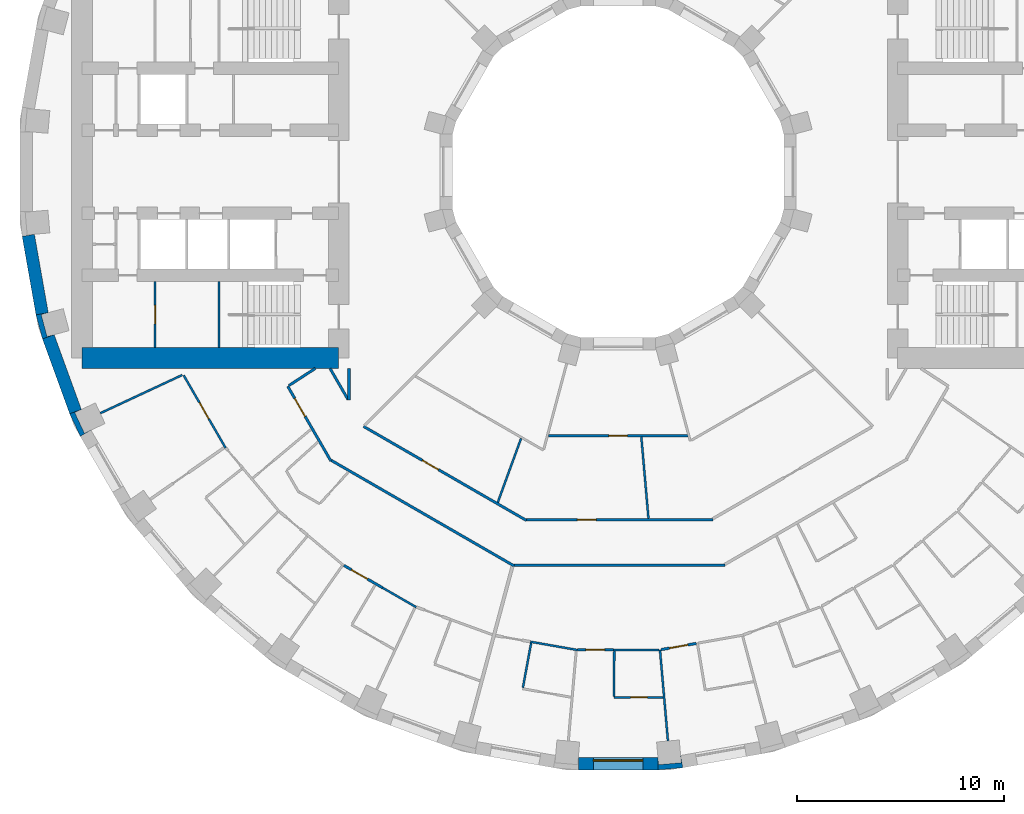
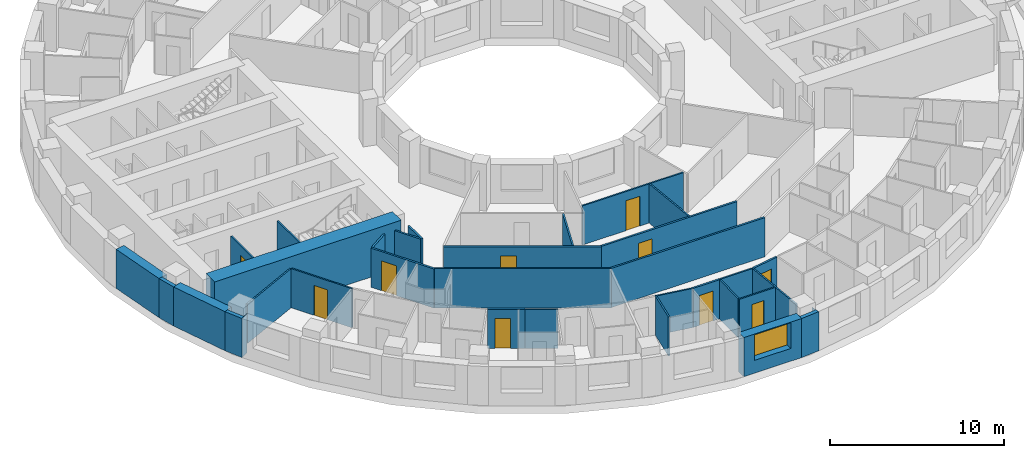
# One storey, part 3 of 14: 32 walls, 10 doors, 1 window, 11 openings.
"""IFC4 building model written with IfcOpenShell, lengths in metres."""

from ifc_helpers import new_model, si_unit, direction, frame, frame_2d, origin, place, context, subcontext, project, spatial, polyline, rectangle, outline, extrude, material, layer, layer_set, type_object, element, fill, save


model = new_model("IFC4")

# Units and contexts
model_context = context("Model", 3, precision=1e-05, world=origin(), true_north=direction((0.0, 1.0)))
body_context = subcontext(model_context, "Body", "Model", "MODEL_VIEW")
ifc_project = project(units=[si_unit("LENGTHUNIT", "METRE"), si_unit("AREAUNIT", "SQUARE_METRE"), si_unit("VOLUMEUNIT", "CUBIC_METRE"), si_unit("PLANEANGLEUNIT", "RADIAN"), si_unit("MASSUNIT", "GRAM", prefix="KILO")], contexts=[model_context])

# Site, building, storey
site_placement = place(None, origin())
site = spatial("IfcSite", under=ifc_project, at=site_placement, CompositionType="ELEMENT")
building_placement = place(site_placement, origin())
building = spatial("IfcBuilding", under=site, at=building_placement, Name="Saqina Gate Tower", CompositionType="ELEMENT")
storey_placement = place(building_placement, frame((0.0, 0.0, 49.39990234375)))
storey = spatial("IfcBuildingStorey", under=building, at=storey_placement, Name="L13", CompositionType="ELEMENT", Elevation=49.39990234375)

# Walls
ifc_material_1 = material(Name="Brick masonry (red)", Category="masonry")
wall_type_1 = type_object("IfcWallType", Name="BRICK PIER COPING RED", PredefinedType="SOLIDWALL", material=ifc_material_1)
wall_1_placement = place(storey_placement, origin())
element("IfcWall", 1, at=wall_1_placement, inside=storey, type_object=wall_type_1, Name="Pier cap L13 column 20", PredefinedType="SOLIDWALL", context=body_context, shape_type="SweptSolid", body=[
    extrude(outline(polyline([(-28.11669921875, -6.910400390625), (-27.80517578125, -8.073974609375), (-27.2412109375, -7.86865234375), (-27.57958984375, -7.95947265625), (-27.864501953125, -6.896728515625), (-27.52587890625, -6.80615234375), (-28.11669921875, -6.910400390625)])), origin(), (0.0, 0.0, 1.0), 2.75),
])
wall_2_placement = place(storey_placement, origin())
element("IfcWall", 2, at=wall_2_placement, inside=storey, type_object=wall_type_1, Name="Pier cap L13 column 21", PredefinedType="SOLIDWALL", context=body_context, shape_type="SweptSolid", body=[
    extrude(outline(polyline([(-25.980712890625, -12.779541015625), (-25.4609375, -12.4794921875), (-25.778564453125, -12.627685546875), (-26.243408203125, -11.630615234375), (-25.92578125, -11.482666015625), (-26.48974609375, -11.687744140625), (-25.980712890625, -12.779541015625)])), origin(), (0.0, 0.0, 1.0), 2.75),
])
wall_3_placement = place(storey_placement, origin())
element("IfcWall", 3, at=wall_3_placement, inside=storey, type_object=wall_type_1, Name="Pier cap L13 column 28", PredefinedType="SOLIDWALL", context=body_context, shape_type="SweptSolid", body=[
    extrude(outline(polyline([(1.9228515625, -28.8896484375), (3.122802734375, -28.78466796875), (3.018798828125, -28.19384765625), (3.04931640625, -28.54296875), (1.95361328125, -28.638671875), (1.9228515625, -28.28955078125), (1.9228515625, -28.8896484375)])), origin(), (0.0, 0.0, 1.0), 2.75),
])

# Wall, opening, door
ifc_material_2 = material(Name="Gypsum board on steel studs", Category="steel")
ifc_layer_1 = layer(ifc_material_2, 0.10009765625)
ifc_layer_set_1 = layer_set([ifc_layer_1], Name="CORE PARTITION")
wall_type_2 = type_object("IfcWallType", Name="CORE PARTITION", PredefinedType="PARTITIONING", material=ifc_layer_set_1)
wall_4_placement = place(storey_placement, frame((-22.360107421875, -8.5, 0.0), z_axis=(0.0, 0.0, 1.0), x_axis=(0.0, 1.0, 0.0)))
wall_4 = element("IfcWall", 4, at=wall_4_placement, inside=storey, type_object=wall_type_2, Name="L13-CP-W15", PredefinedType="PARTITIONING", context=body_context, shape_type="SweptSolid", body=[
    extrude(rectangle(XDim=3.199951171875, YDim=0.10009765625, at=frame_2d((1.60009765625, 0.0))), origin(), (0.0, 0.0, 1.0), 2.75),
])
opening_1_placement = place(wall_4_placement, frame((1.14990234375, 0.0, 0.0)))
opening_1 = element("IfcOpeningElement", 5, at=opening_1_placement, cuts=wall_4, Name="Opening G03-D118", PredefinedType="OPENING", context=body_context, shape_type="SweptSolid", body=[
    extrude(rectangle(XDim=0.89990234375, YDim=2.10009765625, at=frame_2d((0.449951171875, 1.050048828125))), frame((0.0, 0.06201171875, 0.0), z_axis=(0.0, -1.0, 0.0), x_axis=(1.0, 0.0, 0.0)), (0.0, 0.0, 1.0), 0.1240234375),
])
ifc_material_3 = material(Name="Steel-framed fire door leaf, EI 60", Category="steel")
door_type_1 = type_object("IfcDoorType", Name="SERVICE ROOM DOOR 900", OperationType="SINGLE_SWING_LEFT", PredefinedType="DOOR", material=ifc_material_3)
door_1_placement = place(opening_1_placement, origin())
door_1 = element("IfcDoor", 6, at=door_1_placement, inside=storey, type_object=door_type_1, Name="L13-CD-W29", OperationType="SINGLE_SWING_LEFT", OverallHeight=2.10009765625, OverallWidth=0.89990234375, PredefinedType="DOOR", context=body_context, shape_type="SweptSolid", body=[
    extrude(rectangle(XDim=0.89990234375, YDim=2.10009765625, at=frame_2d((0.449951171875, 1.050048828125))), frame((0.0, 0.02490234375, 0.0), z_axis=(0.0, -1.0, 0.0), x_axis=(1.0, 0.0, 0.0)), (0.0, 0.0, 1.0), 0.050048828125),
])
fill(opening_1, door_1)

# Wall, opening, window
ifc_material_4 = material(Name="Brick masonry (red)", Category="masonry")
ifc_layer_2 = layer(ifc_material_4, 0.60009765625)
ifc_layer_set_2 = layer_set([ifc_layer_2], Name="FW-BRICK-RED")
wall_type_3 = type_object("IfcWallType", Name="FW-BRICK-RED", PredefinedType="SOLIDWALL", material=ifc_layer_set_2)
wall_5_placement = place(storey_placement, frame((-1.9228515625, -28.589599609375, 0.0), z_axis=(0.0, 0.0, 1.0), x_axis=(1.0, 0.0, 0.0)))
wall_5 = element("IfcWall", 7, at=wall_5_placement, inside=storey, type_object=wall_type_3, Name="Facade wall L13 facet 27", PredefinedType="SOLIDWALL", context=body_context, shape_type="SweptSolid", body=[
    extrude(rectangle(XDim=3.845703125, YDim=0.60009765625, at=frame_2d((1.9228515625, 0.0))), origin(), (0.0, 0.0, 1.0), 2.75),
])
opening_2_placement = place(wall_5_placement, frame((0.722900390625, 0.0, 0.89990234375)))
opening_2 = element("IfcOpeningElement", 8, at=opening_2_placement, cuts=wall_5, Name="Opening G03-W20", PredefinedType="OPENING", context=body_context, shape_type="SweptSolid", body=[
    extrude(rectangle(XDim=2.39990234375, YDim=1.800048828125, at=frame_2d((1.199951171875, 0.89990234375))), frame((0.0, 0.31201171875, 0.0), z_axis=(0.0, -1.0, 0.0), x_axis=(1.0, 0.0, 0.0)), (0.0, 0.0, 1.0), 0.6240234375),
])
ifc_material_5 = material(Name="Aluminium glazing", Category="aluminium")
window_type = type_object("IfcWindowType", Name="WN-A", PartitioningType="SINGLE_PANEL", PredefinedType="WINDOW", material=ifc_material_5)
window_placement = place(opening_2_placement, origin())
window = element("IfcWindow", 9, at=window_placement, inside=storey, type_object=window_type, Name="Window L13 facet 27", OverallHeight=1.800048828125, OverallWidth=2.39990234375, PartitioningType="SINGLE_PANEL", PredefinedType="WINDOW", context=body_context, shape_type="SweptSolid", body=[
    extrude(rectangle(XDim=2.39990234375, YDim=1.800048828125, at=frame_2d((1.199951171875, 0.89990234375))), frame((0.0, 0.179931640625, 0.0), z_axis=(0.0, -1.0, 0.0), x_axis=(1.0, 0.0, 0.0)), (0.0, 0.0, 1.0), 0.06005859375),
])
fill(opening_2, window)

# Walls
ifc_material_6 = material(Name="Glazed ceramic tile", Category="ceramic")
ifc_layer_3 = layer(ifc_material_6, 0.60009765625)
ifc_layer_set_3 = layer_set([ifc_layer_3], Name="FW-TILE")
wall_type_4 = type_object("IfcWallType", Name="FW-TILE", PredefinedType="SOLIDWALL", material=ifc_layer_set_3)
wall_6_placement = place(storey_placement, frame((-27.523193359375, -7.97119140625, 0.0), z_axis=(0.0, 0.0, 1.0), x_axis=(0.342028474173, -0.939689588564, 0.0)))
element("IfcWall", 10, at=wall_6_placement, inside=storey, type_object=wall_type_4, Name="Facade wall L13 facet 20", PredefinedType="SOLIDWALL", context=body_context, shape_type="SweptSolid", body=[
    extrude(rectangle(XDim=3.845947265625, YDim=0.60009765625, at=frame_2d((1.9228515625, 0.0))), origin(), (0.0, 0.0, 1.0), 2.75),
])
ifc_material_7 = material(Name="Glazed ceramic tile (white)", Category="ceramic")
ifc_layer_4 = layer(ifc_material_7, 0.60009765625)
ifc_layer_set_4 = layer_set([ifc_layer_4], Name="FW-TILE-WH")
wall_type_5 = type_object("IfcWallType", Name="FW-TILE-WH", PredefinedType="SOLIDWALL", material=ifc_layer_set_4)
wall_7_placement = place(storey_placement, frame((-28.4892578125, -3.07080078125, 0.0), z_axis=(0.0, 0.0, 1.0), x_axis=(0.173687553279, -0.984800809218, 0.0)))
element("IfcWall", 11, at=wall_7_placement, inside=storey, type_object=wall_type_5, Name="Facade wall L13 facet 19", PredefinedType="SOLIDWALL", context=body_context, shape_type="SweptSolid", body=[
    extrude(rectangle(XDim=3.845703125, YDim=0.60009765625, at=frame_2d((1.9228515625, 0.0))), origin(), (0.0, 0.0, 1.0), 2.75),
])
ifc_material_8 = material(Name="Gypsum board on steel studs, 100 mm", Category="steel")
ifc_layer_5 = layer(ifc_material_8, 0.10009765625)
ifc_layer_set_5 = layer_set([ifc_layer_5], Name="PARTITION 100")
wall_type_6 = type_object("IfcWallType", Name="PARTITION 100", PredefinedType="PARTITIONING", material=ifc_layer_set_5)
wall_8_placement = place(storey_placement, frame((1.119384765625, -12.7998046875, 0.0), z_axis=(0.0, 0.0, 1.0), x_axis=(0.087327835862, -0.996179626917, 0.0)))
element("IfcWall", 12, at=wall_8_placement, inside=storey, type_object=wall_type_6, Name="PARTITION PW3-02", PredefinedType="PARTITIONING", context=body_context, shape_type="SweptSolid", body=[
    extrude(rectangle(XDim=3.953125, YDim=0.10009765625, at=frame_2d((1.9765625, 0.0))), origin(), (0.0, 0.0, 1.0), 2.75),
])
wall_9_placement = place(storey_placement, frame((2.02001953125, -23.090087890625, 0.0), z_axis=(0.0, 0.0, 1.0), x_axis=(0.087326902968, -0.996179708696, 0.0)))
element("IfcWall", 13, at=wall_9_placement, inside=storey, type_object=wall_type_6, Name="PARTITION PW3-03", PredefinedType="PARTITIONING", context=body_context, shape_type="SweptSolid", body=[
    extrude(rectangle(XDim=4.41162109375, YDim=0.10009765625, at=frame_2d((2.205810546875, 0.0))), origin(), (0.0, 0.0, 1.0), 2.75),
])

# Wall, opening, door
wall_10_placement = place(storey_placement, frame((-20.98095703125, -9.83837890625, 0.0), z_axis=(0.0, 0.0, 1.0), x_axis=(0.500011837539, -0.86601856927, 0.0)))
wall_10 = element("IfcWall", 14, at=wall_10_placement, inside=storey, type_object=wall_type_6, Name="PARTITION PW3-21", PredefinedType="PARTITIONING", context=body_context, shape_type="SweptSolid", body=[
    extrude(rectangle(XDim=4.041015625, YDim=0.10009765625, at=frame_2d((2.0205078125, 0.0))), origin(), (0.0, 0.0, 1.0), 2.75),
])
opening_3_placement = place(wall_10_placement, frame((1.521240234375, 0.0, 0.0)))
opening_3 = element("IfcOpeningElement", 15, at=opening_3_placement, cuts=wall_10, Name="Opening G03-D39", PredefinedType="OPENING", context=body_context, shape_type="SweptSolid", body=[
    extrude(rectangle(XDim=0.89990234375, YDim=2.10009765625, at=frame_2d((0.449951171875, 1.050048828125))), frame((0.0, 0.06201171875, 0.0), z_axis=(0.0, -1.0, 0.0), x_axis=(1.0, 0.0, 0.0)), (0.0, 0.0, 1.0), 0.1240234375),
])
ifc_material_9 = material(Name="Timber door leaf, 900 mm", Category="wood")
door_type_2 = type_object("IfcDoorType", Name="DOOR 900 TIMBER", OperationType="SINGLE_SWING_LEFT", PredefinedType="DOOR", material=ifc_material_9)
door_2_placement = place(opening_3_placement, origin())
door_2 = element("IfcDoor", 16, at=door_2_placement, inside=storey, type_object=door_type_2, Name="DOOR G03-D39", OperationType="SINGLE_SWING_LEFT", OverallHeight=2.10009765625, OverallWidth=0.89990234375, PredefinedType="DOOR", context=body_context, shape_type="SweptSolid", body=[
    extrude(rectangle(XDim=0.89990234375, YDim=2.10009765625, at=frame_2d((0.449951171875, 1.050048828125))), frame((0.0, 0.02490234375, 0.0), z_axis=(0.0, -1.0, 0.0), x_axis=(1.0, 0.0, 0.0)), (0.0, 0.0, 1.0), 0.050048828125),
])
fill(opening_3, door_2)

# Walls
wall_11_placement = place(storey_placement, frame((-11.38037109375, -20.09130859375, 0.0), z_axis=(0.0, 0.0, 1.0), x_axis=(0.866207192616, -0.499685000235, 0.0)))
element("IfcWall", 17, at=wall_11_placement, inside=storey, type_object=wall_type_6, Name="PARTITION PW3-45", PredefinedType="PARTITIONING", context=body_context, shape_type="SweptSolid", body=[
    extrude(rectangle(XDim=1.881103515625, YDim=0.10009765625, at=frame_2d((0.9404296875, 0.0))), origin(), (0.0, 0.0, 1.0), 2.75),
])
wall_12_placement = place(storey_placement, frame((-4.2412109375, -22.6982421875, 0.0), z_axis=(0.0, 0.0, 1.0), x_axis=(0.984796344358, -0.173712866935, 0.0)))
element("IfcWall", 18, at=wall_12_placement, inside=storey, type_object=wall_type_6, Name="PARTITION PW3-58", PredefinedType="PARTITIONING", context=body_context, shape_type="SweptSolid", body=[
    extrude(rectangle(XDim=2.306396484375, YDim=0.10009765625, at=frame_2d((1.1533203125, 0.0))), origin(), (0.0, 0.0, 1.0), 2.75),
])

# Wall, opening, door
wall_13_placement = place(storey_placement, frame((-0.202880859375, -25.389892578125, 0.0), z_axis=(0.0, 0.0, 1.0), x_axis=(1.0, 0.0, 0.0)))
wall_13 = element("IfcWall", 19, at=wall_13_placement, inside=storey, type_object=wall_type_6, Name="PARTITION PW3-61", PredefinedType="PARTITIONING", context=body_context, shape_type="SweptSolid", body=[
    extrude(rectangle(XDim=2.373779296875, YDim=0.10009765625, at=frame_2d((1.18701171875, 0.0))), origin(), (0.0, 0.0, 1.0), 2.75),
])
opening_4_placement = place(wall_13_placement, frame((0.81201171875, 0.0, 0.0)))
opening_4 = element("IfcOpeningElement", 20, at=opening_4_placement, cuts=wall_13, Name="Opening G03-D59", PredefinedType="OPENING", context=body_context, shape_type="SweptSolid", body=[
    extrude(rectangle(XDim=0.800048828125, YDim=2.10009765625, at=frame_2d((0.39990234375, 1.050048828125))), frame((0.0, 0.06201171875, 0.0), z_axis=(0.0, -1.0, 0.0), x_axis=(1.0, 0.0, 0.0)), (0.0, 0.0, 1.0), 0.1240234375),
])
ifc_material_10 = material(Name="Timber door leaf, 800 mm", Category="wood")
door_type_3 = type_object("IfcDoorType", Name="DOOR 800 TIMBER", OperationType="SINGLE_SWING_LEFT", PredefinedType="DOOR", material=ifc_material_10)
door_3_placement = place(opening_4_placement, frame((0.800048828125, 0.0, 0.0), z_axis=(0.0, 0.0, 1.0), x_axis=(-1.0, 0.0, 0.0)))
door_3 = element("IfcDoor", 21, at=door_3_placement, inside=storey, type_object=door_type_3, Name="DOOR G03-D59", OperationType="SINGLE_SWING_LEFT", OverallHeight=2.10009765625, OverallWidth=0.800048828125, PredefinedType="DOOR", context=body_context, shape_type="SweptSolid", body=[
    extrude(rectangle(XDim=0.800048828125, YDim=2.10009765625, at=frame_2d((0.39990234375, 1.050048828125))), frame((0.0, 0.02490234375, 0.0), z_axis=(0.0, -1.0, 0.0), x_axis=(1.0, 0.0, 0.0)), (0.0, 0.0, 1.0), 0.050048828125),
])
fill(opening_4, door_3)

# Wall
wall_14_placement = place(storey_placement, frame((-0.235107421875, -23.090087890625, 0.0), z_axis=(0.0, 0.0, 1.0), x_axis=(1.0, 0.0, 0.0)))
element("IfcWall", 22, at=wall_14_placement, inside=storey, type_object=wall_type_6, Name="PARTITION PW3-62", PredefinedType="PARTITIONING", context=body_context, shape_type="SweptSolid", body=[
    extrude(rectangle(XDim=2.205078125, YDim=0.10009765625, at=frame_2d((1.1025390625, 0.0))), origin(), (0.0, 0.0, 1.0), 2.75),
])

# Wall, opening, door
wall_15_placement = place(storey_placement, frame((-3.365966796875, -12.75, 0.0), z_axis=(0.0, 0.0, 1.0), x_axis=(1.0, 0.0, 0.0)))
wall_15 = element("IfcWall", 23, at=wall_15_placement, inside=storey, type_object=wall_type_6, Name="PARTITION PW3-63", PredefinedType="PARTITIONING", context=body_context, shape_type="SweptSolid", body=[
    extrude(rectangle(XDim=6.73193359375, YDim=0.10009765625, at=frame_2d((3.365966796875, 0.0))), origin(), (0.0, 0.0, 1.0), 2.75),
])
opening_5_placement = place(wall_15_placement, frame((2.916015625, 0.0, 0.0)))
opening_5 = element("IfcOpeningElement", 24, at=opening_5_placement, cuts=wall_15, Name="Opening G03-D58", PredefinedType="OPENING", context=body_context, shape_type="SweptSolid", body=[
    extrude(rectangle(XDim=0.89990234375, YDim=2.10009765625, at=frame_2d((0.449951171875, 1.050048828125))), frame((0.0, 0.06201171875, 0.0), z_axis=(0.0, -1.0, 0.0), x_axis=(1.0, 0.0, 0.0)), (0.0, 0.0, 1.0), 0.1240234375),
])
door_4_placement = place(opening_5_placement, frame((0.89990234375, 0.0, 0.0), z_axis=(0.0, 0.0, 1.0), x_axis=(-1.0, 0.0, 0.0)))
door_4 = element("IfcDoor", 25, at=door_4_placement, inside=storey, type_object=door_type_2, Name="DOOR G03-D58", OperationType="SINGLE_SWING_RIGHT", OverallHeight=2.10009765625, OverallWidth=0.89990234375, PredefinedType="DOOR", context=body_context, shape_type="SweptSolid", body=[
    extrude(rectangle(XDim=0.89990234375, YDim=2.10009765625, at=frame_2d((0.449951171875, 1.050048828125))), frame((0.0, 0.02490234375, 0.0), z_axis=(0.0, -1.0, 0.0), x_axis=(1.0, 0.0, 0.0)), (0.0, 0.0, 1.0), 0.050048828125),
])
fill(opening_5, door_4)

# Walls
wall_16_placement = place(storey_placement, frame((-25.005126953125, -11.65966796875, 0.0), z_axis=(0.0, 0.0, 1.0), x_axis=(0.906326060206, 0.422579072591, 0.0)))
element("IfcWall", 26, at=wall_16_placement, inside=storey, type_object=wall_type_6, Name="PARTITION PW3-78", PredefinedType="PARTITIONING", context=body_context, shape_type="SweptSolid", body=[
    extrude(rectangle(XDim=4.362548828125, YDim=0.10009765625, at=frame_2d((2.18115234375, 0.0))), origin(), (0.0, 0.0, 1.0), 2.75),
])
wall_17_placement = place(storey_placement, frame((-5.813720703125, -15.97119140625, 0.0), z_axis=(0.0, 0.0, 1.0), x_axis=(0.342207917315, 0.939624255395, 0.0)))
element("IfcWall", 27, at=wall_17_placement, inside=storey, type_object=wall_type_6, Name="PARTITION PW3-116", PredefinedType="PARTITIONING", context=body_context, shape_type="SweptSolid", body=[
    extrude(rectangle(XDim=3.288818359375, YDim=0.10009765625, at=frame_2d((1.64453125, 0.0))), origin(), (0.0, 0.0, 1.0), 2.75),
])
wall_18_placement = place(storey_placement, frame((-4.599853515625, -24.919921875, 0.0), z_axis=(0.0, 0.0, 1.0), x_axis=(0.181199143807, 0.983446424714, 0.0)))
element("IfcWall", 28, at=wall_18_placement, inside=storey, type_object=wall_type_6, Name="PARTITION PW3-122", PredefinedType="PARTITIONING", context=body_context, shape_type="SweptSolid", body=[
    extrude(rectangle(XDim=2.2001953125, YDim=0.10009765625, at=frame_2d((1.10009765625, 0.0))), origin(), (0.0, 0.0, 1.0), 2.75),
])
wall_19_placement = place(storey_placement, frame((-0.20263671875, -25.340087890625, 0.0), z_axis=(0.0, 0.0, 1.0), x_axis=(0.007812261592, 0.999969483819, 0.0)))
element("IfcWall", 29, at=wall_19_placement, inside=storey, type_object=wall_type_6, Name="PARTITION PW3-129", PredefinedType="PARTITIONING", context=body_context, shape_type="SweptSolid", body=[
    extrude(rectangle(XDim=2.1875, YDim=0.10009765625, at=frame_2d((1.09375, 0.0))), origin(), (0.0, 0.0, 1.0), 2.75),
])

# Wall, opening, door
ifc_material_11 = material(Name="Gypsum board on steel studs, 125 mm, fire rated", Category="steel")
ifc_layer_6 = layer(ifc_material_11, 0.125)
ifc_layer_set_6 = layer_set([ifc_layer_6], Name="PARTITION EI 30 125")
wall_type_7 = type_object("IfcWallType", Name="PARTITION EI 30 125", PredefinedType="PARTITIONING", material=ifc_layer_set_6)
wall_20_placement = place(storey_placement, frame((-15.95703125, -10.362060546875, 0.0), z_axis=(0.0, 0.0, 1.0), x_axis=(0.500063859158, -0.865988531543, 0.0)))
wall_20 = element("IfcWall", 30, at=wall_20_placement, inside=storey, type_object=wall_type_7, Name="PARTITION PW1-01", PredefinedType="PARTITIONING", context=body_context, shape_type="SweptSolid", body=[
    extrude(rectangle(XDim=4.16796875, YDim=0.125, at=frame_2d((2.083984375, 0.0))), origin(), (0.0, 0.0, 1.0), 2.75),
])
opening_6_placement = place(wall_20_placement, frame((0.673828125, 0.0, 0.0)))
opening_6 = element("IfcOpeningElement", 31, at=opening_6_placement, cuts=wall_20, Name="Opening G03-D41", PredefinedType="OPENING", context=body_context, shape_type="SweptSolid", body=[
    extrude(rectangle(XDim=1.0, YDim=2.10009765625, at=frame_2d((0.5, 1.050048828125))), frame((0.0, 0.074462890625, 0.0), z_axis=(0.0, -1.0, 0.0), x_axis=(1.0, 0.0, 0.0)), (0.0, 0.0, 1.0), 0.14892578125),
])
ifc_material_12 = material(Name="Fire door leaf EI 30, 1000 mm")
door_type_4 = type_object("IfcDoorType", Name="DOOR 1000 EI 30", OperationType="SINGLE_SWING_LEFT", PredefinedType="DOOR", material=ifc_material_12)
door_5_placement = place(opening_6_placement, frame((1.0, 0.0, 0.0), z_axis=(0.0, 0.0, 1.0), x_axis=(-1.0, 0.0, 0.0)))
door_5 = element("IfcDoor", 32, at=door_5_placement, inside=storey, type_object=door_type_4, Name="DOOR G03-D41", OperationType="SINGLE_SWING_RIGHT", OverallHeight=2.10009765625, OverallWidth=1.0, PredefinedType="DOOR", context=body_context, shape_type="SweptSolid", body=[
    extrude(rectangle(XDim=1.0, YDim=2.10009765625, at=frame_2d((0.5, 1.050048828125))), frame((0.0, 0.02490234375, 0.0), z_axis=(0.0, -1.0, 0.0), x_axis=(1.0, 0.0, 0.0)), (0.0, 0.0, 1.0), 0.050048828125),
])
fill(opening_6, door_5)

# Wall
wall_21_placement = place(storey_placement, frame((-13.9140625, -9.5, 0.0), z_axis=(0.0, 0.0, 1.0), x_axis=(0.500066958712, -0.865986741702, 0.0)))
element("IfcWall", 33, at=wall_21_placement, inside=storey, type_object=wall_type_7, Name="PARTITION PW1-02", PredefinedType="PARTITIONING", context=body_context, shape_type="SweptSolid", body=[
    extrude(rectangle(XDim=1.738037109375, YDim=0.125, at=frame_2d((0.869140625, 0.0))), origin(), (0.0, 0.0, 1.0), 2.75),
])

# Wall, opening, door
wall_22_placement = place(storey_placement, frame((-13.250732421875, -19.010986328125, 0.0), z_axis=(0.0, 0.0, 1.0), x_axis=(0.865854192141, -0.500296430081, 0.0)))
wall_22 = element("IfcWall", 34, at=wall_22_placement, inside=storey, type_object=wall_type_7, Name="PARTITION PW1-12", PredefinedType="PARTITIONING", context=body_context, shape_type="SweptSolid", body=[
    extrude(rectangle(XDim=2.159912109375, YDim=0.125, at=frame_2d((1.080078125, 0.0))), origin(), (0.0, 0.0, 1.0), 2.75),
])
opening_7_placement = place(wall_22_placement, frame((0.41748046875, 0.0, 0.0)))
opening_7 = element("IfcOpeningElement", 35, at=opening_7_placement, cuts=wall_22, Name="Opening G03-D48", PredefinedType="OPENING", context=body_context, shape_type="SweptSolid", body=[
    extrude(rectangle(XDim=0.89990234375, YDim=2.10009765625, at=frame_2d((0.449951171875, 1.050048828125))), frame((0.0, 0.074462890625, 0.0), z_axis=(0.0, -1.0, 0.0), x_axis=(1.0, 0.0, 0.0)), (0.0, 0.0, 1.0), 0.14892578125),
])
ifc_material_13 = material(Name="Fire door leaf EI 30, 900 mm")
door_type_5 = type_object("IfcDoorType", Name="DOOR 900 EI 30", OperationType="SINGLE_SWING_LEFT", PredefinedType="DOOR", material=ifc_material_13)
door_6_placement = place(opening_7_placement, origin())
door_6 = element("IfcDoor", 36, at=door_6_placement, inside=storey, type_object=door_type_5, Name="DOOR G03-D48", OperationType="SINGLE_SWING_LEFT", OverallHeight=2.10009765625, OverallWidth=0.89990234375, PredefinedType="DOOR", context=body_context, shape_type="SweptSolid", body=[
    extrude(rectangle(XDim=0.89990234375, YDim=2.10009765625, at=frame_2d((0.449951171875, 1.050048828125))), frame((0.0, 0.02490234375, 0.0), z_axis=(0.0, -1.0, 0.0), x_axis=(1.0, 0.0, 0.0)), (0.0, 0.0, 1.0), 0.050048828125),
])
fill(opening_7, door_6)

# Wall
wall_23_placement = place(storey_placement, frame((-13.85498046875, -13.940185546875, 0.0), z_axis=(0.0, 0.0, 1.0), x_axis=(0.866024825845, -0.50000100102, 0.0)))
element("IfcWall", 37, at=wall_23_placement, inside=storey, type_object=wall_type_7, Name="PARTITION PW1-13", PredefinedType="PARTITIONING", context=body_context, shape_type="SweptSolid", body=[
    extrude(rectangle(XDim=10.19189453125, YDim=0.125, at=frame_2d((5.095947265625, 0.0))), origin(), (0.0, 0.0, 1.0), 2.75),
])

# Wall, opening, door
wall_24_placement = place(storey_placement, frame((-12.298095703125, -12.298095703125, 0.0), z_axis=(0.0, 0.0, 1.0), x_axis=(0.865982621983, -0.500074092933, 0.0)))
wall_24 = element("IfcWall", 38, at=wall_24_placement, inside=storey, type_object=wall_type_7, Name="PARTITION PW1-14", PredefinedType="PARTITIONING", context=body_context, shape_type="SweptSolid", body=[
    extrude(rectangle(XDim=9.07470703125, YDim=0.125, at=frame_2d((4.537353515625, 0.0))), origin(), (0.0, 0.0, 1.0), 2.75),
])
opening_8_placement = place(wall_24_placement, frame((3.281494140625, 0.0, 0.0)))
opening_8 = element("IfcOpeningElement", 39, at=opening_8_placement, cuts=wall_24, Name="Opening G03-D49", PredefinedType="OPENING", context=body_context, shape_type="SweptSolid", body=[
    extrude(rectangle(XDim=0.89990234375, YDim=2.10009765625, at=frame_2d((0.449951171875, 1.050048828125))), frame((0.0, 0.074462890625, 0.0), z_axis=(0.0, -1.0, 0.0), x_axis=(1.0, 0.0, 0.0)), (0.0, 0.0, 1.0), 0.14892578125),
])
door_7_placement = place(opening_8_placement, origin())
door_7 = element("IfcDoor", 40, at=door_7_placement, inside=storey, type_object=door_type_5, Name="DOOR G03-D49", OperationType="SINGLE_SWING_LEFT", OverallHeight=2.10009765625, OverallWidth=0.89990234375, PredefinedType="DOOR", context=body_context, shape_type="SweptSolid", body=[
    extrude(rectangle(XDim=0.89990234375, YDim=2.10009765625, at=frame_2d((0.449951171875, 1.050048828125))), frame((0.0, 0.02490234375, 0.0), z_axis=(0.0, -1.0, 0.0), x_axis=(1.0, 0.0, 0.0)), (0.0, 0.0, 1.0), 0.050048828125),
])
fill(opening_8, door_7)

wall_25_placement = place(storey_placement, frame((-1.969970703125, -23.090087890625, 0.0), z_axis=(0.0, 0.0, 1.0), x_axis=(1.0, 0.0, 0.0)))
wall_25 = element("IfcWall", 41, at=wall_25_placement, inside=storey, type_object=wall_type_7, Name="PARTITION PW1-24", PredefinedType="PARTITIONING", context=body_context, shape_type="SweptSolid", body=[
    extrude(rectangle(XDim=1.73486328125, YDim=0.125, at=frame_2d((0.867431640625, 0.0))), origin(), (0.0, 0.0, 1.0), 2.75),
])
opening_9_placement = place(wall_25_placement, frame((0.41748046875, 0.0, 0.0)))
opening_9 = element("IfcOpeningElement", 42, at=opening_9_placement, cuts=wall_25, Name="Opening G03-D57", PredefinedType="OPENING", context=body_context, shape_type="SweptSolid", body=[
    extrude(rectangle(XDim=0.89990234375, YDim=2.10009765625, at=frame_2d((0.449951171875, 1.050048828125))), frame((0.0, 0.074462890625, 0.0), z_axis=(0.0, -1.0, 0.0), x_axis=(1.0, 0.0, 0.0)), (0.0, 0.0, 1.0), 0.14892578125),
])
door_8_placement = place(opening_9_placement, origin())
door_8 = element("IfcDoor", 43, at=door_8_placement, inside=storey, type_object=door_type_5, Name="DOOR G03-D57", OperationType="SINGLE_SWING_LEFT", OverallHeight=2.10009765625, OverallWidth=0.89990234375, PredefinedType="DOOR", context=body_context, shape_type="SweptSolid", body=[
    extrude(rectangle(XDim=0.89990234375, YDim=2.10009765625, at=frame_2d((0.449951171875, 1.050048828125))), frame((0.0, 0.02490234375, 0.0), z_axis=(0.0, -1.0, 0.0), x_axis=(1.0, 0.0, 0.0)), (0.0, 0.0, 1.0), 0.050048828125),
])
fill(opening_9, door_8)

# Wall
wall_26_placement = place(storey_placement, frame((-5.028564453125, -19.0, 0.0), z_axis=(0.0, 0.0, 1.0), x_axis=(1.0, 0.0, 0.0)))
element("IfcWall", 44, at=wall_26_placement, inside=storey, type_object=wall_type_7, Name="PARTITION PW1-25", PredefinedType="PARTITIONING", context=body_context, shape_type="SweptSolid", body=[
    extrude(rectangle(XDim=10.191650390625, YDim=0.125, at=frame_2d((5.095703125, 0.0))), origin(), (0.0, 0.0, 1.0), 2.75),
])

# Wall, opening, door
wall_27_placement = place(storey_placement, frame((-4.439453125, -16.800048828125, 0.0), z_axis=(0.0, 0.0, 1.0), x_axis=(1.0, 0.0, 0.0)))
wall_27 = element("IfcWall", 45, at=wall_27_placement, inside=storey, type_object=wall_type_7, Name="PARTITION PW1-26", PredefinedType="PARTITIONING", context=body_context, shape_type="SweptSolid", body=[
    extrude(rectangle(XDim=9.013671875, YDim=0.125, at=frame_2d((4.5068359375, 0.0))), origin(), (0.0, 0.0, 1.0), 2.75),
])
opening_10_placement = place(wall_27_placement, frame((2.473388671875, 0.0, 0.0)))
opening_10 = element("IfcOpeningElement", 46, at=opening_10_placement, cuts=wall_27, Name="Opening G03-D56", PredefinedType="OPENING", context=body_context, shape_type="SweptSolid", body=[
    extrude(rectangle(XDim=0.89990234375, YDim=2.10009765625, at=frame_2d((0.449951171875, 1.050048828125))), frame((0.0, 0.074462890625, 0.0), z_axis=(0.0, -1.0, 0.0), x_axis=(1.0, 0.0, 0.0)), (0.0, 0.0, 1.0), 0.14892578125),
])
door_9_placement = place(opening_10_placement, origin())
door_9 = element("IfcDoor", 47, at=door_9_placement, inside=storey, type_object=door_type_5, Name="DOOR G03-D56", OperationType="SINGLE_SWING_LEFT", OverallHeight=2.10009765625, OverallWidth=0.89990234375, PredefinedType="DOOR", context=body_context, shape_type="SweptSolid", body=[
    extrude(rectangle(XDim=0.89990234375, YDim=2.10009765625, at=frame_2d((0.449951171875, 1.050048828125))), frame((0.0, 0.02490234375, 0.0), z_axis=(0.0, -1.0, 0.0), x_axis=(1.0, 0.0, 0.0)), (0.0, 0.0, 1.0), 0.050048828125),
])
fill(opening_10, door_9)

wall_28_placement = place(storey_placement, frame((2.0693359375, -23.081298828125, 0.0), z_axis=(0.0, 0.0, 1.0), x_axis=(0.984782142107, 0.173793361747, 0.0)))
wall_28 = element("IfcWall", 48, at=wall_28_placement, inside=storey, type_object=wall_type_7, Name="PARTITION PW1-31", PredefinedType="PARTITIONING", context=body_context, shape_type="SweptSolid", body=[
    extrude(rectangle(XDim=1.73486328125, YDim=0.125, at=frame_2d((0.867431640625, 0.0))), origin(), (0.0, 0.0, 1.0), 2.75),
])
opening_11_placement = place(wall_28_placement, frame((0.41748046875, 0.0, 0.0)))
opening_11 = element("IfcOpeningElement", 49, at=opening_11_placement, cuts=wall_28, Name="Opening G03-D60", PredefinedType="OPENING", context=body_context, shape_type="SweptSolid", body=[
    extrude(rectangle(XDim=0.89990234375, YDim=2.10009765625, at=frame_2d((0.449951171875, 1.050048828125))), frame((0.0, 0.074462890625, 0.0), z_axis=(0.0, -1.0, 0.0), x_axis=(1.0, 0.0, 0.0)), (0.0, 0.0, 1.0), 0.14892578125),
])
door_10_placement = place(opening_11_placement, origin())
door_10 = element("IfcDoor", 50, at=door_10_placement, inside=storey, type_object=door_type_5, Name="DOOR G03-D60", OperationType="SINGLE_SWING_LEFT", OverallHeight=2.10009765625, OverallWidth=0.89990234375, PredefinedType="DOOR", context=body_context, shape_type="SweptSolid", body=[
    extrude(rectangle(XDim=0.89990234375, YDim=2.10009765625, at=frame_2d((0.449951171875, 1.050048828125))), frame((0.0, 0.02490234375, 0.0), z_axis=(0.0, -1.0, 0.0), x_axis=(1.0, 0.0, 0.0)), (0.0, 0.0, 1.0), 0.050048828125),
])
fill(opening_11, door_10)

# Walls
wall_29_placement = place(storey_placement, frame((-15.904541015625, -10.327880859375, 0.0), z_axis=(0.0, 0.0, 1.0), x_axis=(0.83882853689, 0.544395706908, 0.0)))
element("IfcWall", 51, at=wall_29_placement, inside=storey, type_object=wall_type_7, Name="PARTITION PW1-42", PredefinedType="PARTITIONING", context=body_context, shape_type="SweptSolid", body=[
    extrude(rectangle(XDim=1.520751953125, YDim=0.125, at=frame_2d((0.76025390625, 0.0))), origin(), (0.0, 0.0, 1.0), 2.75),
])
wall_30_placement = place(storey_placement, frame((-13.0, -11.0205078125, 0.0), z_axis=(0.0, 0.0, 1.0), x_axis=(0.0, 1.0, 0.0)))
element("IfcWall", 52, at=wall_30_placement, inside=storey, type_object=wall_type_7, Name="PARTITION PW1-58", PredefinedType="PARTITIONING", context=body_context, shape_type="SweptSolid", body=[
    extrude(rectangle(XDim=1.5205078125, YDim=0.125, at=frame_2d((0.76025390625, 0.0))), origin(), (0.0, 0.0, 1.0), 2.75),
])
ifc_material_14 = material(Name="Autoclaved aerated concrete block", Category="concrete")
ifc_layer_7 = layer(ifc_material_14, 0.10009765625)
ifc_layer_set_7 = layer_set([ifc_layer_7], Name="STAIR ENCLOSURE WALL")
wall_type_8 = type_object("IfcWallType", Name="STAIR ENCLOSURE WALL", PredefinedType="PARTITIONING", material=ifc_layer_set_7)
wall_31_placement = place(storey_placement, frame((-19.27001953125, -8.5, 0.0), z_axis=(0.0, 0.0, 1.0), x_axis=(0.0, 1.0, 0.0)))
element("IfcWall", 53, at=wall_31_placement, inside=storey, type_object=wall_type_8, Name="L13-CP-W14", PredefinedType="PARTITIONING", context=body_context, shape_type="SweptSolid", body=[
    extrude(rectangle(XDim=3.199951171875, YDim=0.10009765625, at=frame_2d((1.60009765625, 0.0))), origin(), (0.0, 0.0, 1.0), 2.75),
])
ifc_material_15 = material(Name="Concrete C70/85", Category="concrete")
ifc_layer_8 = layer(ifc_material_15, 1.0)
ifc_layer_set_8 = layer_set([ifc_layer_8], Name="Concrete C70/85")
wall_type_9 = type_object("IfcWallType", Name="STR-CORE WALL-A-O", PredefinedType="SHEAR", material=ifc_layer_set_8)
wall_32_placement = place(storey_placement, frame((-13.5, -9.0, 0.0), z_axis=(0.0, 0.0, 1.0), x_axis=(-1.0, 0.0, 0.0)))
element("IfcWall", 54, at=wall_32_placement, inside=storey, type_object=wall_type_9, Name="CORE WALL L13 W-SE", PredefinedType="SHEAR", context=body_context, shape_type="SweptSolid", body=[
    extrude(rectangle(XDim=12.39990234375, YDim=1.0, at=frame_2d((6.199951171875, 0.0))), origin(), (0.0, 0.0, 1.0), 3.300048828125),
])

save(model, "model.ifc")
